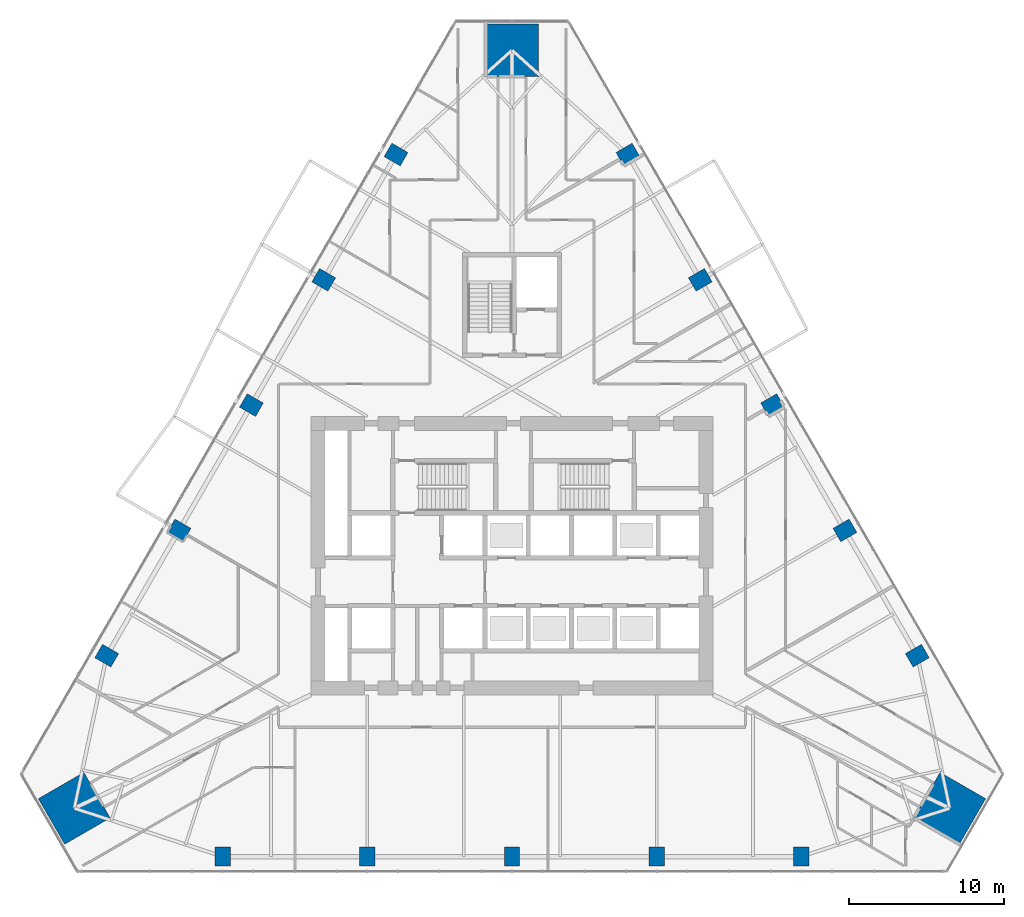
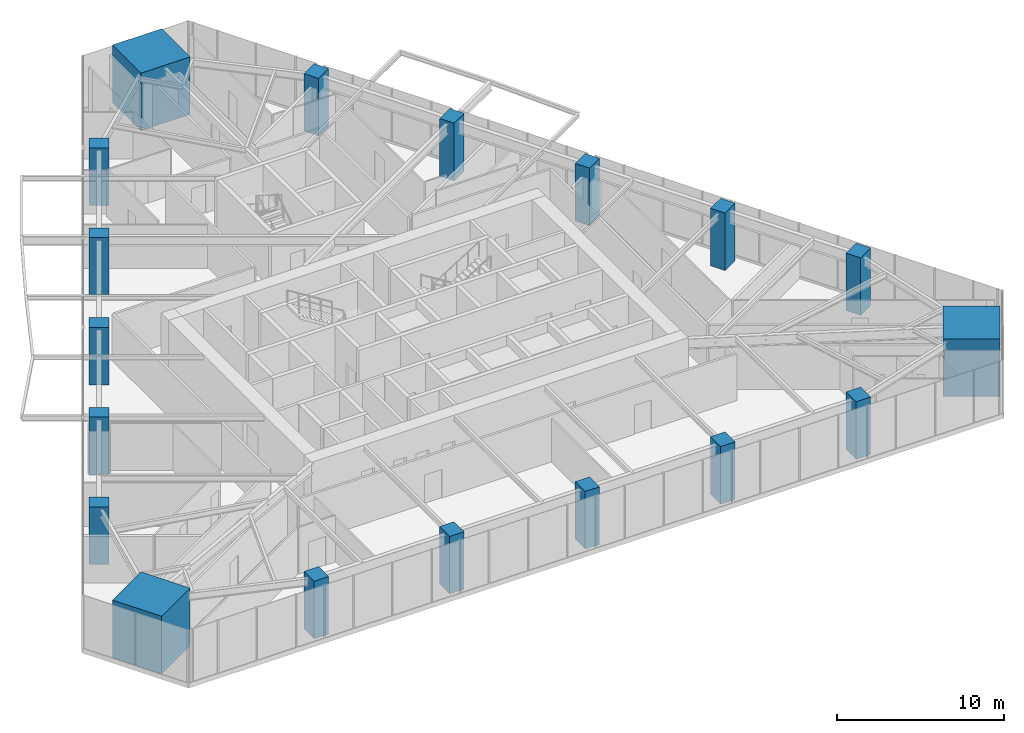
# One storey, part 1 of 22: 18 columns.
"""IFC4 building model written with IfcOpenShell, lengths in metres."""

import ifcopenshell
import ifcopenshell.guid

model = None  # the IFC model being written
_history = None  # IfcOwnerHistory: only IFC2X3 demands one
_inside = {}  # id of a spatial element -> (the spatial element, [elements in it])
_under = {}  # id of a project, library or spatial element -> (it, [spatial elements below it])
_declared = {}  # id of a project -> (the project, [libraries it declares])
_typed = {}  # id of a type object -> (the type object, [elements of that type])
_made_of = {}  # id of a material, layer set ... -> (it, [elements and type objects made of it])


def new_model(schema):
    """Start an empty IFC model of exactly this schema.

    Asked for "IFC4X3", IfcOpenShell would pick the latest addendum, in which some entities
    have other attributes; the version numbers below select the first issue.
    IFC2X3 requires an IfcOwnerHistory on every rooted entity: one is made here for all.
    """
    global model, _history
    if schema == "IFC4X3":
        model = ifcopenshell.file(schema_version=(4, 3, 0, 0))
    else:
        model = ifcopenshell.file(schema=schema)
    _inside.clear()
    _under.clear()
    _declared.clear()
    _typed.clear()
    _made_of.clear()
    _history = None
    if model.schema == "IFC2X3":
        org = make("IfcOrganization", Name="unknown")
        user = make(
            "IfcPersonAndOrganization",
            ThePerson=make("IfcPerson", FamilyName="unknown"),
            TheOrganization=org,
        )
        app = make(
            "IfcApplication",
            ApplicationDeveloper=org,
            Version="unknown",
            ApplicationFullName="unknown",
            ApplicationIdentifier="unknown",
        )
        _history = make(
            "IfcOwnerHistory",
            OwningUser=user,
            OwningApplication=app,
            ChangeAction="ADDED",
            CreationDate=0,
        )
    return model


def make(cls, **values):
    """One entity of the class cls with the attributes given. An attribute that is None is left unset."""
    return model.create_entity(
        cls, **{name: value for name, value in values.items() if value is not None}
    )


def rooted(cls, **values):
    """An entity with a GlobalId (a new one), such as an element, a storey or a relation."""
    return make(cls, GlobalId=ifcopenshell.guid.new(), OwnerHistory=_history, **values)


def si_unit(unit_type, name, prefix=None):
    """IfcSIUnit, for example si_unit("LENGTHUNIT", "METRE", prefix="MILLI")."""
    return make("IfcSIUnit", UnitType=unit_type, Prefix=prefix, Name=name)


def assignment(units):
    """IfcUnitAssignment: the units of a project."""
    return None if units is None else make("IfcUnitAssignment", Units=units)


def point(xyz):
    """IfcCartesianPoint."""
    return None if xyz is None else make("IfcCartesianPoint", Coordinates=xyz)


def direction(xyz):
    """IfcDirection."""
    return None if xyz is None else make("IfcDirection", DirectionRatios=xyz)


def frame(location, z_axis=None, x_axis=None):
    """IfcAxis2Placement3D, a coordinate frame: its origin and axes. An axis left out is left unset."""
    return make(
        "IfcAxis2Placement3D",
        Location=point(location),
        Axis=direction(z_axis),
        RefDirection=direction(x_axis),
    )


def frame_2d(location, x_axis=None):
    """IfcAxis2Placement2D, a coordinate frame in the plane: its origin and x axis."""
    return make(
        "IfcAxis2Placement2D", Location=point(location), RefDirection=direction(x_axis)
    )


def origin():
    """The frame at (0, 0, 0) with its axes left unset."""
    return frame((0.0, 0.0, 0.0))


def origin_2d():
    """The frame at (0, 0) in the plane with its x axis left unset."""
    return frame_2d((0.0, 0.0))


def place(relative_to, where):
    """IfcLocalPlacement: puts the frame where relative to a parent placement (None: the world)."""
    return make(
        "IfcLocalPlacement", PlacementRelTo=relative_to, RelativePlacement=where
    )


def context(
    kind, dimensions, precision=None, world=None, true_north=None, identifier=None
):
    """IfcGeometricRepresentationContext, for example the 3D "Model" context."""
    return make(
        "IfcGeometricRepresentationContext",
        ContextIdentifier=identifier,
        ContextType=kind,
        CoordinateSpaceDimension=dimensions,
        Precision=precision,
        WorldCoordinateSystem=world,
        TrueNorth=true_north,
    )


def subcontext(parent, identifier, kind, view, scale=None):
    """IfcGeometricRepresentationSubContext, for example "Body" below "Model"."""
    return make(
        "IfcGeometricRepresentationSubContext",
        ContextIdentifier=identifier,
        ContextType=kind,
        ParentContext=parent,
        TargetScale=scale,
        TargetView=view,
    )


def project(units=None, contexts=None):
    """IfcProject with its units and contexts."""
    return rooted(
        "IfcProject",
        Name="project",
        RepresentationContexts=contexts,
        UnitsInContext=assignment(units),
    )


def spatial(cls, under=None, at=None, **own):
    """A site, building, storey or space (cls), placed at a placement, below another one or the project."""
    s = rooted(cls, ObjectPlacement=at, **own)
    if under is not None:
        _under.setdefault(under.id(), (under, []))[1].append(s)
    return s


def profile(cls, at=None, kind="AREA", **sizes):
    """A parametric profile (cls). Its sizes go by their IFC names, for example OverallWidth=200.0."""
    return make(cls, ProfileType=kind, Position=at, **sizes)


def rectangle(**sizes):
    """IfcRectangleProfileDef."""
    return profile("IfcRectangleProfileDef", **sizes)


def extrude(swept, where, along, depth):
    """IfcExtrudedAreaSolid: the profile swept, set in the frame where, extruded along a direction by depth."""
    return make(
        "IfcExtrudedAreaSolid",
        SweptArea=swept,
        Position=where,
        ExtrudedDirection=direction(along),
        Depth=depth,
    )


def shape(context_of_items, identifier, shape_type, items):
    """IfcShapeRepresentation: the items that make up one representation, for example the "Body"."""
    return make(
        "IfcShapeRepresentation",
        ContextOfItems=context_of_items,
        RepresentationIdentifier=identifier,
        RepresentationType=shape_type,
        Items=items,
    )


def material(Name=None, Category=None):
    """IfcMaterial."""
    return make("IfcMaterial", Name=Name, Category=Category)


def material_profile(
    of_material, cross_section, Name=None, Category=None, Priority=None
):
    """IfcMaterialProfile: a cross section and its material."""
    return make(
        "IfcMaterialProfile",
        Name=Name,
        Material=of_material,
        Profile=cross_section,
        Priority=Priority,
        Category=Category,
    )


def profile_set(profiles, Name=None, composite=None):
    """IfcMaterialProfileSet."""
    return make(
        "IfcMaterialProfileSet",
        Name=Name,
        MaterialProfiles=profiles,
        CompositeProfile=composite,
    )


def made_of(thing, what):
    """Note that an element or type object is made of a material, layer set ...; save() writes the relation."""
    if what is not None:
        _made_of.setdefault(what.id(), (what, []))[1].append(thing)
    return thing


def type_object(cls, material=None, **own):
    """A type object (cls), such as IfcWallType, which elements share."""
    return made_of(rooted(cls, **own), material)


def element(
    cls,
    number,
    at=None,
    inside=None,
    cuts=None,
    type_object=None,
    material=None,
    context=None,
    identifier="Body",
    shape_type=None,
    held_by="IfcProductDefinitionShape",
    body=None,
    shapes=None,
    **own,
):
    """One element of the class cls, such as IfcWall. Its Tag is "e" and its number.

    at: its placement. inside: the storey or other place that contains it. cuts: it is an
    opening in that element (IfcRelVoidsElement). A single representation is given by context,
    identifier, shape_type and body (its items); several are given by shapes. held_by: the class
    of the entity that holds the representations. save() writes the other relations.
    """
    e = rooted(cls, Tag="e%d" % number, ObjectPlacement=at, **own)
    if body is not None:
        shapes = [shape(context, identifier, shape_type, body)]
    if shapes is not None:
        e.Representation = make(held_by, Representations=shapes)
    if inside is not None:
        _inside.setdefault(inside.id(), (inside, []))[1].append(e)
    if cuts is not None:
        rooted(
            "IfcRelVoidsElement", RelatingBuildingElement=cuts, RelatedOpeningElement=e
        )
    if type_object is not None:
        _typed.setdefault(type_object.id(), (type_object, []))[1].append(e)
    return made_of(e, material)


def aggregate(whole, parts):
    """IfcRelAggregates: a whole, such as a stair, and the parts it consists of."""
    return rooted("IfcRelAggregates", RelatingObject=whole, RelatedObjects=parts)


def save(model, path):
    """Write the relations noted so far, then the file.

    IfcRelAggregates (storeys below a building ...), IfcRelContainedInSpatialStructure (elements
    in a storey), IfcRelDefinesByType, IfcRelAssociatesMaterial and IfcRelDeclares: one each for
    every whole, place, type object, material and project.
    """
    for whole, parts in _under.values():
        aggregate(whole, parts)
    for where, things in _inside.values():
        rooted(
            "IfcRelContainedInSpatialStructure",
            RelatedElements=things,
            RelatingStructure=where,
        )
    for kind, things in _typed.values():
        rooted("IfcRelDefinesByType", RelatedObjects=things, RelatingType=kind)
    for what, things in _made_of.values():
        rooted("IfcRelAssociatesMaterial", RelatedObjects=things, RelatingMaterial=what)
    for by, libraries in _declared.values():
        rooted("IfcRelDeclares", RelatingContext=by, RelatedDefinitions=libraries)
    model.write(path)


model = new_model("IFC4")

# Units and contexts
model_context = context("Model", 3, precision=1e-05, world=origin(), true_north=direction((0.0, 1.0)))
body_context = subcontext(model_context, "Body", "Model", "MODEL_VIEW")
ifc_project = project(units=[si_unit("LENGTHUNIT", "METRE"), si_unit("AREAUNIT", "SQUARE_METRE"), si_unit("VOLUMEUNIT", "CUBIC_METRE"), si_unit("PLANEANGLEUNIT", "RADIAN"), si_unit("MASSUNIT", "GRAM", prefix="KILO")], contexts=[model_context])

# Site, building, storey
site_placement = place(None, origin())
site = spatial("IfcSite", under=ifc_project, at=site_placement, CompositionType="ELEMENT")
building_placement = place(site_placement, origin())
building = spatial("IfcBuilding", under=site, at=building_placement, Name="Firuza Gate Tower and Library", CompositionType="ELEMENT")
storey_placement = place(building_placement, frame((0.0, 0.0, 111.39990234375)))
storey = spatial("IfcBuildingStorey", under=building, at=storey_placement, Name="L25", CompositionType="ELEMENT", Elevation=111.39990234375)

# Columns
ifc_material_1 = material(Name="Concrete C80/95", Category="concrete")
ifc_material_profile_1 = material_profile(ifc_material_1, rectangle(XDim=3.39990234375, YDim=3.39990234375, at=origin_2d()))
ifc_profile_set_1 = profile_set([ifc_material_profile_1], Name="Concrete C80/95")
column_type_1 = type_object("IfcColumnType", Name="Mega column 3400x3400 C80/95", PredefinedType="COLUMN", material=ifc_profile_set_1)
for number, where, z_axis, x_axis, name in (
    (1, (103.3037109375, 58.65869140625, 0.0), (0.0, 0.0, 1.0), (0.5, 0.866025403784, 0.0), "Mega column SE L25"),
    (2, (75.0, 107.682373046875, 0.0), (0.0, 0.0, 1.0), (-1.0, 0.0, 0.0), "Mega column N L25"),
    (3, (46.6962890625, 58.65869140625, 0.0), (0.0, 0.0, 1.0), (0.5, -0.866025403784, 0.0), "Mega column SW L25"),
):
    element("IfcColumn", number, at=place(storey_placement, frame(where, z_axis=z_axis, x_axis=x_axis)), inside=storey, type_object=column_type_1, Name=name, PredefinedType="COLUMN", context=body_context, shape_type="SweptSolid", body=[
        extrude(rectangle(XDim=3.39990234375, YDim=3.39990234375, at=origin_2d()), origin(), (0.0, 0.0, 1.0), 4.2001953125),
    ])
ifc_material_2 = material(Name="Concrete C60/75", Category="concrete")
ifc_material_profile_2 = material_profile(ifc_material_2, rectangle(XDim=1.0, YDim=1.199951171875, at=origin_2d()))
ifc_profile_set_2 = profile_set([ifc_material_profile_2], Name="Concrete C60/75")
column_type_2 = type_object("IfcColumnType", Name="Perimeter column 1000x1200 C60/75", PredefinedType="COLUMN", material=ifc_profile_set_2)
for number, where, z_axis, x_axis, name in (
    (4, (56.29150390625, 55.541015625, -0.000244140625), (0.0, 0.0, 1.0), (1.0, 0.0, 0.0), "Column S1 L25"),
    (5, (65.645751953125, 55.541015625, -0.000244140625), (0.0, 0.0, 1.0), (1.0, 0.0, 0.0), "Column S2 L25"),
    (6, (75.0, 55.541015625, -0.000244140625), (0.0, 0.0, 1.0), (1.0, 0.0, 0.0), "Column S3 L25"),
    (7, (84.354248046875, 55.541015625, -0.000244140625), (0.0, 0.0, 1.0), (1.0, 0.0, 0.0), "Column S4 L25"),
    (8, (93.70849609375, 55.541015625, -0.000244140625), (0.0, 0.0, 1.0), (1.0, 0.0, 0.0), "Column S5 L25"),
    (9, (101.2060546875, 68.527587890625, -0.000244140625), (0.0, 0.0, 1.0), (-0.5, 0.866025403784, 0.0), "Column E1 L25"),
    (10, (96.529052734375, 76.62841796875, -0.000244140625), (0.0, 0.0, 1.0), (-0.5, 0.866025403784, 0.0), "Column E2 L25"),
    (11, (91.851806640625, 84.7294921875, -0.000244140625), (0.0, 0.0, 1.0), (-0.5, 0.866025403784, 0.0), "Column E3 L25"),
    (12, (87.1748046875, 92.830322265625, -0.000244140625), (0.0, 0.0, 1.0), (-0.5, 0.866025403784, 0.0), "Column E4 L25"),
    (13, (82.497802734375, 100.931396484375, -0.000244140625), (0.0, 0.0, 1.0), (-0.5, 0.866025403784, 0.0), "Column E5 L25"),
    (14, (67.502197265625, 100.931396484375, -0.000244140625), (0.0, 0.0, 1.0), (-0.5, -0.866025403784, 0.0), "Column W1 L25"),
    (15, (62.8251953125, 92.830322265625, -0.000244140625), (0.0, 0.0, 1.0), (-0.5, -0.866025403784, 0.0), "Column W2 L25"),
    (16, (58.148193359375, 84.7294921875, -0.000244140625), (0.0, 0.0, 1.0), (-0.5, -0.866025403784, 0.0), "Column W3 L25"),
    (17, (53.470947265625, 76.62841796875, -0.000244140625), (0.0, 0.0, 1.0), (-0.5, -0.866025403784, 0.0), "Column W4 L25"),
    (18, (48.7939453125, 68.527587890625, -0.000244140625), (0.0, 0.0, 1.0), (-0.5, -0.866025403784, 0.0), "Column W5 L25"),
):
    element("IfcColumn", number, at=place(storey_placement, frame(where, z_axis=z_axis, x_axis=x_axis)), inside=storey, type_object=column_type_2, Name=name, PredefinedType="COLUMN", context=body_context, shape_type="SweptSolid", body=[
        extrude(rectangle(XDim=1.0, YDim=1.199951171875, at=origin_2d()), origin(), (0.0, 0.0, 1.0), 4.200439453125),
    ])

save(model, "model.ifc")
